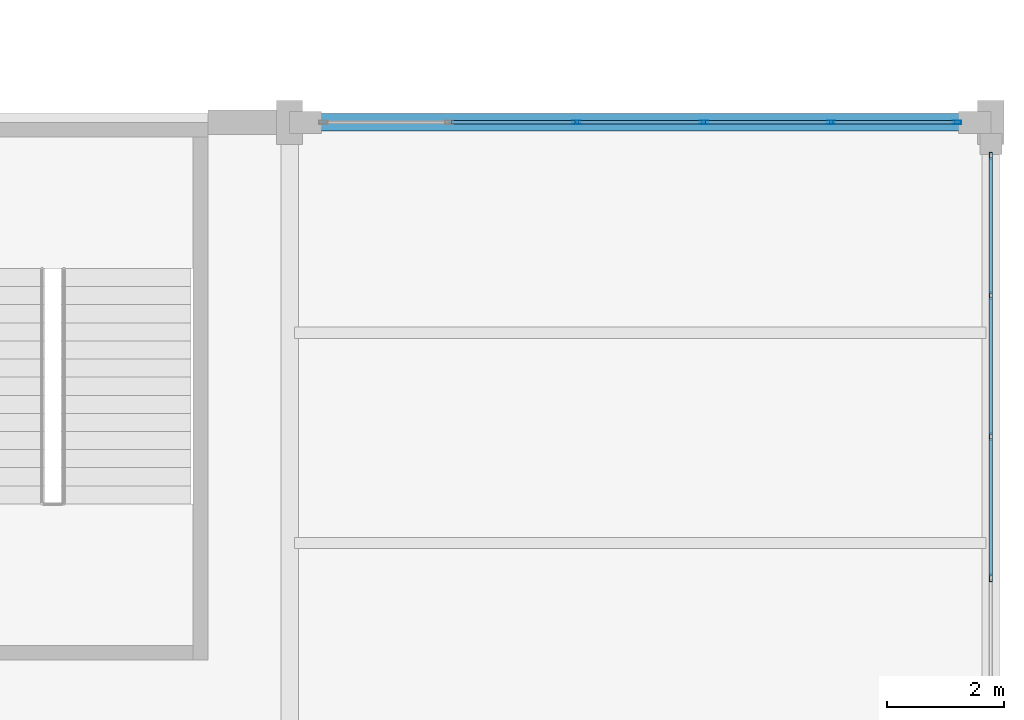
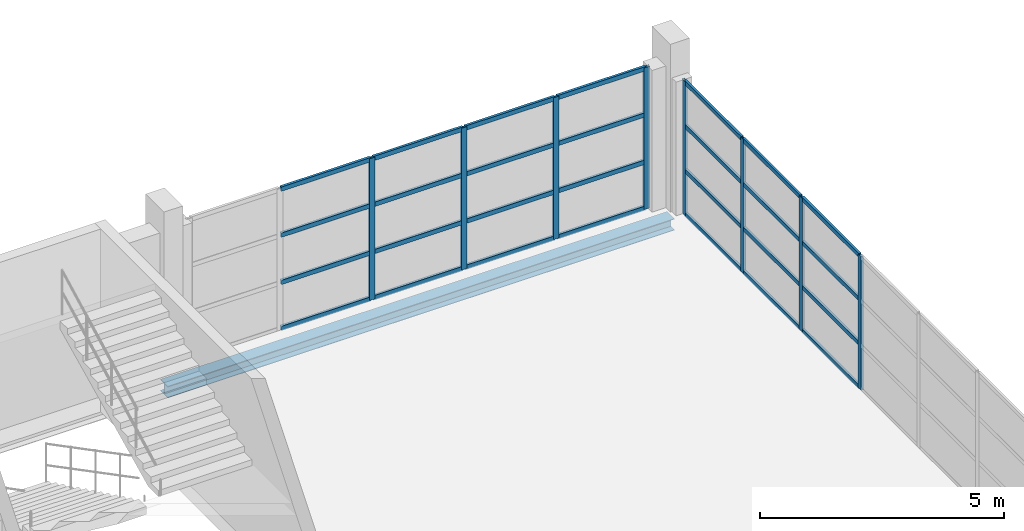
# One storey, part 118 of 147: 36 members, 1 beam, 2 elements without a shape of their own.
"""IFC4 building model written with IfcOpenShell, lengths in metres."""

import ifcopenshell
import ifcopenshell.guid

model = None  # the IFC model being written
_history = None  # IfcOwnerHistory: only IFC2X3 demands one
_inside = {}  # id of a spatial element -> (the spatial element, [elements in it])
_under = {}  # id of a project, library or spatial element -> (it, [spatial elements below it])
_declared = {}  # id of a project -> (the project, [libraries it declares])
_typed = {}  # id of a type object -> (the type object, [elements of that type])
_made_of = {}  # id of a material, layer set ... -> (it, [elements and type objects made of it])


def new_model(schema):
    """Start an empty IFC model of exactly this schema.

    Asked for "IFC4X3", IfcOpenShell would pick the latest addendum, in which some entities
    have other attributes; the version numbers below select the first issue.
    IFC2X3 requires an IfcOwnerHistory on every rooted entity: one is made here for all.
    """
    global model, _history
    if schema == "IFC4X3":
        model = ifcopenshell.file(schema_version=(4, 3, 0, 0))
    else:
        model = ifcopenshell.file(schema=schema)
    _inside.clear()
    _under.clear()
    _declared.clear()
    _typed.clear()
    _made_of.clear()
    _history = None
    if model.schema == "IFC2X3":
        org = make("IfcOrganization", Name="unknown")
        user = make(
            "IfcPersonAndOrganization",
            ThePerson=make("IfcPerson", FamilyName="unknown"),
            TheOrganization=org,
        )
        app = make(
            "IfcApplication",
            ApplicationDeveloper=org,
            Version="unknown",
            ApplicationFullName="unknown",
            ApplicationIdentifier="unknown",
        )
        _history = make(
            "IfcOwnerHistory",
            OwningUser=user,
            OwningApplication=app,
            ChangeAction="ADDED",
            CreationDate=0,
        )
    return model


def make(cls, **values):
    """One entity of the class cls with the attributes given. An attribute that is None is left unset."""
    return model.create_entity(
        cls, **{name: value for name, value in values.items() if value is not None}
    )


def rooted(cls, **values):
    """An entity with a GlobalId (a new one), such as an element, a storey or a relation."""
    return make(cls, GlobalId=ifcopenshell.guid.new(), OwnerHistory=_history, **values)


def si_unit(unit_type, name, prefix=None):
    """IfcSIUnit, for example si_unit("LENGTHUNIT", "METRE", prefix="MILLI")."""
    return make("IfcSIUnit", UnitType=unit_type, Prefix=prefix, Name=name)


def assignment(units):
    """IfcUnitAssignment: the units of a project."""
    return None if units is None else make("IfcUnitAssignment", Units=units)


def point(xyz):
    """IfcCartesianPoint."""
    return None if xyz is None else make("IfcCartesianPoint", Coordinates=xyz)


def direction(xyz):
    """IfcDirection."""
    return None if xyz is None else make("IfcDirection", DirectionRatios=xyz)


def frame(location, z_axis=None, x_axis=None):
    """IfcAxis2Placement3D, a coordinate frame: its origin and axes. An axis left out is left unset."""
    return make(
        "IfcAxis2Placement3D",
        Location=point(location),
        Axis=direction(z_axis),
        RefDirection=direction(x_axis),
    )


def frame_2d(location, x_axis=None):
    """IfcAxis2Placement2D, a coordinate frame in the plane: its origin and x axis."""
    return make(
        "IfcAxis2Placement2D", Location=point(location), RefDirection=direction(x_axis)
    )


def origin():
    """The frame at (0, 0, 0) with its axes left unset."""
    return frame((0.0, 0.0, 0.0))


def origin_2d():
    """The frame at (0, 0) in the plane with its x axis left unset."""
    return frame_2d((0.0, 0.0))


def place(relative_to, where):
    """IfcLocalPlacement: puts the frame where relative to a parent placement (None: the world)."""
    return make(
        "IfcLocalPlacement", PlacementRelTo=relative_to, RelativePlacement=where
    )


def context(
    kind, dimensions, precision=None, world=None, true_north=None, identifier=None
):
    """IfcGeometricRepresentationContext, for example the 3D "Model" context."""
    return make(
        "IfcGeometricRepresentationContext",
        ContextIdentifier=identifier,
        ContextType=kind,
        CoordinateSpaceDimension=dimensions,
        Precision=precision,
        WorldCoordinateSystem=world,
        TrueNorth=true_north,
    )


def subcontext(parent, identifier, kind, view, scale=None):
    """IfcGeometricRepresentationSubContext, for example "Body" below "Model"."""
    return make(
        "IfcGeometricRepresentationSubContext",
        ContextIdentifier=identifier,
        ContextType=kind,
        ParentContext=parent,
        TargetScale=scale,
        TargetView=view,
    )


def project(units=None, contexts=None):
    """IfcProject with its units and contexts."""
    return rooted(
        "IfcProject",
        Name="project",
        RepresentationContexts=contexts,
        UnitsInContext=assignment(units),
    )


def spatial(cls, under=None, at=None, **own):
    """A site, building, storey or space (cls), placed at a placement, below another one or the project."""
    s = rooted(cls, ObjectPlacement=at, **own)
    if under is not None:
        _under.setdefault(under.id(), (under, []))[1].append(s)
    return s


def profile(cls, at=None, kind="AREA", **sizes):
    """A parametric profile (cls). Its sizes go by their IFC names, for example OverallWidth=200.0."""
    return make(cls, ProfileType=kind, Position=at, **sizes)


def hollow_rectangle(**sizes):
    """IfcRectangleHollowProfileDef."""
    return profile("IfcRectangleHollowProfileDef", **sizes)


def i_section(**sizes):
    """IfcIShapeProfileDef."""
    return profile("IfcIShapeProfileDef", **sizes)


def extrude(swept, where, along, depth):
    """IfcExtrudedAreaSolid: the profile swept, set in the frame where, extruded along a direction by depth."""
    return make(
        "IfcExtrudedAreaSolid",
        SweptArea=swept,
        Position=where,
        ExtrudedDirection=direction(along),
        Depth=depth,
    )


def shape(context_of_items, identifier, shape_type, items):
    """IfcShapeRepresentation: the items that make up one representation, for example the "Body"."""
    return make(
        "IfcShapeRepresentation",
        ContextOfItems=context_of_items,
        RepresentationIdentifier=identifier,
        RepresentationType=shape_type,
        Items=items,
    )


def material(Name=None, Category=None):
    """IfcMaterial."""
    return make("IfcMaterial", Name=Name, Category=Category)


def layer(
    of_material, thickness, ventilated=None, Name=None, Category=None, Priority=None
):
    """IfcMaterialLayer: one layer of a wall or slab, of a material (None: an air gap)."""
    return make(
        "IfcMaterialLayer",
        Material=of_material,
        LayerThickness=thickness,
        IsVentilated=ventilated,
        Name=Name,
        Category=Category,
        Priority=Priority,
    )


def layer_set(layers, Name=None):
    """IfcMaterialLayerSet."""
    return make("IfcMaterialLayerSet", MaterialLayers=layers, LayerSetName=Name)


def material_profile(
    of_material, cross_section, Name=None, Category=None, Priority=None
):
    """IfcMaterialProfile: a cross section and its material."""
    return make(
        "IfcMaterialProfile",
        Name=Name,
        Material=of_material,
        Profile=cross_section,
        Priority=Priority,
        Category=Category,
    )


def profile_set(profiles, Name=None, composite=None):
    """IfcMaterialProfileSet."""
    return make(
        "IfcMaterialProfileSet",
        Name=Name,
        MaterialProfiles=profiles,
        CompositeProfile=composite,
    )


def made_of(thing, what):
    """Note that an element or type object is made of a material, layer set ...; save() writes the relation."""
    if what is not None:
        _made_of.setdefault(what.id(), (what, []))[1].append(thing)
    return thing


def type_object(cls, material=None, **own):
    """A type object (cls), such as IfcWallType, which elements share."""
    return made_of(rooted(cls, **own), material)


def element(
    cls,
    number,
    at=None,
    inside=None,
    cuts=None,
    type_object=None,
    material=None,
    context=None,
    identifier="Body",
    shape_type=None,
    held_by="IfcProductDefinitionShape",
    body=None,
    shapes=None,
    **own,
):
    """One element of the class cls, such as IfcWall. Its Tag is "e" and its number.

    at: its placement. inside: the storey or other place that contains it. cuts: it is an
    opening in that element (IfcRelVoidsElement). A single representation is given by context,
    identifier, shape_type and body (its items); several are given by shapes. held_by: the class
    of the entity that holds the representations. save() writes the other relations.
    """
    e = rooted(cls, Tag="e%d" % number, ObjectPlacement=at, **own)
    if body is not None:
        shapes = [shape(context, identifier, shape_type, body)]
    if shapes is not None:
        e.Representation = make(held_by, Representations=shapes)
    if inside is not None:
        _inside.setdefault(inside.id(), (inside, []))[1].append(e)
    if cuts is not None:
        rooted(
            "IfcRelVoidsElement", RelatingBuildingElement=cuts, RelatedOpeningElement=e
        )
    if type_object is not None:
        _typed.setdefault(type_object.id(), (type_object, []))[1].append(e)
    return made_of(e, material)


def aggregate(whole, parts):
    """IfcRelAggregates: a whole, such as a stair, and the parts it consists of."""
    return rooted("IfcRelAggregates", RelatingObject=whole, RelatedObjects=parts)


def save(model, path):
    """Write the relations noted so far, then the file.

    IfcRelAggregates (storeys below a building ...), IfcRelContainedInSpatialStructure (elements
    in a storey), IfcRelDefinesByType, IfcRelAssociatesMaterial and IfcRelDeclares: one each for
    every whole, place, type object, material and project.
    """
    for whole, parts in _under.values():
        aggregate(whole, parts)
    for where, things in _inside.values():
        rooted(
            "IfcRelContainedInSpatialStructure",
            RelatedElements=things,
            RelatingStructure=where,
        )
    for kind, things in _typed.values():
        rooted("IfcRelDefinesByType", RelatedObjects=things, RelatingType=kind)
    for what, things in _made_of.values():
        rooted("IfcRelAssociatesMaterial", RelatedObjects=things, RelatingMaterial=what)
    for by, libraries in _declared.values():
        rooted("IfcRelDeclares", RelatingContext=by, RelatedDefinitions=libraries)
    model.write(path)


model = new_model("IFC4")

# Units and contexts
model_context = context("Model", 3, precision=1e-05, world=origin(), true_north=direction((0.0, 1.0)))
body_context = subcontext(model_context, "Body", "Model", "MODEL_VIEW")
ifc_project = project(units=[si_unit("LENGTHUNIT", "METRE"), si_unit("AREAUNIT", "SQUARE_METRE"), si_unit("VOLUMEUNIT", "CUBIC_METRE"), si_unit("PLANEANGLEUNIT", "RADIAN"), si_unit("MASSUNIT", "GRAM", prefix="KILO")], contexts=[model_context])

# Site, building, storey
site_placement = place(None, origin())
site = spatial("IfcSite", under=ifc_project, at=site_placement, CompositionType="ELEMENT")
building_placement = place(site_placement, origin())
building = spatial("IfcBuilding", under=site, at=building_placement, Name="Zilviju Railside Exhibition Hall", CompositionType="ELEMENT")
storey_placement = place(building_placement, frame((0.0, 0.0, 8.39990234375)))
storey = spatial("IfcBuildingStorey", under=building, at=storey_placement, Name="L03", CompositionType="ELEMENT", Elevation=8.39990234375)

# Beam
ifc_material_1 = material(Name="Steel S355J2", Category="steel")
ifc_material_profile_1 = material_profile(ifc_material_1, i_section(OverallWidth=0.300048828125, OverallDepth=0.2900390625, WebThickness=0.008544921875, FlangeThickness=0.013916015625, at=origin_2d()), Name="HEA 300")
ifc_profile_set_1 = profile_set([ifc_material_profile_1], Name="Steel S355J2")
beam_type = type_object("IfcBeamType", Name="BM-HEA300", PredefinedType="SPANDREL", material=ifc_profile_set_1)
beam_placement = place(storey_placement, frame((204.0, 138.0, -0.52490234375), z_axis=(1.0, 0.0, 0.0), x_axis=(0.0, 1.0, 0.0)))
element("IfcBeam", 1, at=beam_placement, inside=storey, type_object=beam_type, Name="Primary Girder L03 Y=138.0 (204.0..216.0)", PredefinedType="SPANDREL", context=body_context, shape_type="SweptSolid", body=[
    extrude(i_section(OverallWidth=0.300048828125, OverallDepth=0.2900390625, WebThickness=0.008544921875, FlangeThickness=0.013916015625, at=origin_2d()), origin(), (0.0, 0.0, 1.0), 12.0),
])

# Curtain wall, members
ifc_material_2 = material(Name="Thermally broken aluminium-steel triple-glazed curtain wall", Category="steel")
ifc_layer_1 = layer(ifc_material_2, 0.179931640625)
ifc_layer_set_1 = layer_set([ifc_layer_1], Name="Thermally broken aluminium-steel triple-glazed curtain wall")
curtain_wall_type_1 = type_object("IfcCurtainWallType", Name="CW-BAY-10", PredefinedType="USERDEFINED", material=ifc_layer_set_1)
curtain_wall_1_placement = place(storey_placement, origin())
curtain_wall_1 = element("IfcCurtainWall", 2, at=curtain_wall_1_placement, inside=storey, type_object=curtain_wall_type_1, Name="North Hall East Glazed Gable L03 (120..138)", ObjectType="GLAZED CURTAIN WALL", PredefinedType="USERDEFINED")
ifc_material_3 = material(Name="Thermally broken anodized aluminium mullion", Category="aluminium")
ifc_material_profile_2 = material_profile(ifc_material_3, hollow_rectangle(XDim=0.054931640625, YDim=0.1298828125, WallThickness=0.0048828125, at=origin_2d()), Name="MULLION 130x55x5")
ifc_profile_set_2 = profile_set([ifc_material_profile_2], Name="Thermally broken anodized aluminium mullion")
member_type_1 = type_object("IfcMemberType", Name="CWM-55x130", PredefinedType="MULLION", material=ifc_profile_set_2)
member_1_placement = place(storey_placement, frame((216.0, 137.422607421875, 0.0), z_axis=(0.0, 0.0, 1.0), x_axis=(1.0, 0.0, 0.0)))
member_1 = element("IfcMember", 3, at=member_1_placement, type_object=member_type_1, Name="CW-10 mullion 1", PredefinedType="MULLION", context=body_context, shape_type="SweptSolid", body=[
    extrude(hollow_rectangle(XDim=0.054931640625, YDim=0.1298828125, WallThickness=0.0048828125, at=origin_2d()), origin(), (0.0, 0.0, 1.0), 3.35009765625),
])
member_2_placement = place(storey_placement, frame((216.0, 135.03564453125, 0.0), z_axis=(0.0, 0.0, 1.0), x_axis=(1.0, 0.0, 0.0)))
member_2 = element("IfcMember", 4, at=member_2_placement, type_object=member_type_1, Name="CW-10 mullion 2", PredefinedType="MULLION", context=body_context, shape_type="SweptSolid", body=[
    extrude(hollow_rectangle(XDim=0.054931640625, YDim=0.1298828125, WallThickness=0.0048828125, at=origin_2d()), origin(), (0.0, 0.0, 1.0), 3.35009765625),
])
member_3_placement = place(storey_placement, frame((216.0, 132.621337890625, 0.0), z_axis=(0.0, 0.0, 1.0), x_axis=(1.0, 0.0, 0.0)))
member_3 = element("IfcMember", 5, at=member_3_placement, type_object=member_type_1, Name="CW-10 mullion 3", PredefinedType="MULLION", context=body_context, shape_type="SweptSolid", body=[
    extrude(hollow_rectangle(XDim=0.054931640625, YDim=0.1298828125, WallThickness=0.0048828125, at=origin_2d()), origin(), (0.0, 0.0, 1.0), 3.35009765625),
])
member_4_placement = place(storey_placement, frame((216.0, 130.20703125, 0.0), z_axis=(0.0, 0.0, 1.0), x_axis=(1.0, 0.0, 0.0)))
member_4 = element("IfcMember", 6, at=member_4_placement, type_object=member_type_1, Name="CW-10 mullion 4", PredefinedType="MULLION", context=body_context, shape_type="SweptSolid", body=[
    extrude(hollow_rectangle(XDim=0.054931640625, YDim=0.1298828125, WallThickness=0.0048828125, at=origin_2d()), origin(), (0.0, 0.0, 1.0), 3.35009765625),
])

ifc_layer_2 = layer(ifc_material_2, 0.179931640625)
ifc_layer_set_2 = layer_set([ifc_layer_2], Name="Thermally broken aluminium-steel triple-glazed curtain wall")
curtain_wall_type_2 = type_object("IfcCurtainWallType", Name="CW-BAY-07", PredefinedType="USERDEFINED", material=ifc_layer_set_2)
curtain_wall_2_placement = place(storey_placement, origin())
curtain_wall_2 = element("IfcCurtainWall", 7, at=curtain_wall_2_placement, inside=storey, type_object=curtain_wall_type_2, Name="North Hall Clerestory Curtain Wall L03 (204..216)", ObjectType="GLAZED CURTAIN WALL", PredefinedType="USERDEFINED")
ifc_material_profile_3 = material_profile(ifc_material_3, hollow_rectangle(XDim=0.06005859375, YDim=0.139892578125, WallThickness=0.0048828125, at=origin_2d()), Name="MULLION 140x60x5")
ifc_profile_set_3 = profile_set([ifc_material_profile_3], Name="Thermally broken anodized aluminium mullion")
member_type_2 = type_object("IfcMemberType", Name="CWM-60x140", PredefinedType="MULLION", material=ifc_profile_set_3)
member_5_placement = place(storey_placement, frame((208.909912109375, 138.0, 0.0), z_axis=(0.0, 0.0, 1.0), x_axis=(0.0, 1.0, 0.0)))
member_5 = element("IfcMember", 8, at=member_5_placement, type_object=member_type_2, Name="CW-07 mullion 3", PredefinedType="MULLION", context=body_context, shape_type="SweptSolid", body=[
    extrude(hollow_rectangle(XDim=0.06005859375, YDim=0.139892578125, WallThickness=0.0048828125, at=origin_2d()), origin(), (0.0, 0.0, 1.0), 3.550048828125),
])
member_6_placement = place(storey_placement, frame((211.090087890625, 138.0, 0.0), z_axis=(0.0, 0.0, 1.0), x_axis=(0.0, 1.0, 0.0)))
member_6 = element("IfcMember", 9, at=member_6_placement, type_object=member_type_2, Name="CW-07 mullion 4", PredefinedType="MULLION", context=body_context, shape_type="SweptSolid", body=[
    extrude(hollow_rectangle(XDim=0.06005859375, YDim=0.139892578125, WallThickness=0.0048828125, at=origin_2d()), origin(), (0.0, 0.0, 1.0), 3.550048828125),
])
member_7_placement = place(storey_placement, frame((213.27001953125, 138.0, 0.0), z_axis=(0.0, 0.0, 1.0), x_axis=(0.0, 1.0, 0.0)))
member_7 = element("IfcMember", 10, at=member_7_placement, type_object=member_type_2, Name="CW-07 mullion 5", PredefinedType="MULLION", context=body_context, shape_type="SweptSolid", body=[
    extrude(hollow_rectangle(XDim=0.06005859375, YDim=0.139892578125, WallThickness=0.0048828125, at=origin_2d()), origin(), (0.0, 0.0, 1.0), 3.550048828125),
])
member_8_placement = place(storey_placement, frame((215.419921875, 138.0, 0.0), z_axis=(0.0, 0.0, 1.0), x_axis=(0.0, 1.0, 0.0)))
member_8 = element("IfcMember", 11, at=member_8_placement, type_object=member_type_2, Name="CW-07 mullion 6", PredefinedType="MULLION", context=body_context, shape_type="SweptSolid", body=[
    extrude(hollow_rectangle(XDim=0.06005859375, YDim=0.139892578125, WallThickness=0.0048828125, at=origin_2d()), origin(), (0.0, 0.0, 1.0), 3.550048828125),
])

# Member
ifc_material_4 = material(Name="Thermally broken anodized aluminium transom", Category="aluminium")
ifc_material_profile_4 = material_profile(ifc_material_4, hollow_rectangle(XDim=0.054931640625, YDim=0.10498046875, WallThickness=0.0048828125, at=origin_2d()), Name="TRANSOM 105x55x5")
ifc_profile_set_4 = profile_set([ifc_material_profile_4], Name="Thermally broken anodized aluminium transom")
member_type_3 = type_object("IfcMemberType", Name="CWT-55x105", PredefinedType="USERDEFINED", material=ifc_profile_set_4)
member_9_placement = place(storey_placement, frame((216.0, 137.39501953125, 0.027587890625), z_axis=(0.0, -1.0, 0.0), x_axis=(1.0, 0.0, 0.0)))
member_9 = element("IfcMember", 12, at=member_9_placement, type_object=member_type_3, Name="CW-10 transom 1.1", ObjectType="TRANSOM", PredefinedType="USERDEFINED", context=body_context, shape_type="SweptSolid", body=[
    extrude(hollow_rectangle(XDim=0.054931640625, YDim=0.10498046875, WallThickness=0.0048828125, at=origin_2d()), origin(), (0.0, 0.0, 1.0), 2.331787109375),
])

member_10_placement = place(storey_placement, frame((216.0, 137.39501953125, 1.1171875), z_axis=(0.0, -1.0, 0.0), x_axis=(1.0, 0.0, 0.0)))
member_10 = element("IfcMember", 13, at=member_10_placement, type_object=member_type_3, Name="CW-10 transom 1.2", ObjectType="TRANSOM", PredefinedType="USERDEFINED", context=body_context, shape_type="SweptSolid", body=[
    extrude(hollow_rectangle(XDim=0.054931640625, YDim=0.10498046875, WallThickness=0.0048828125, at=origin_2d()), origin(), (0.0, 0.0, 1.0), 2.331787109375),
])

member_11_placement = place(storey_placement, frame((216.0, 137.39501953125, 2.233154296875), z_axis=(0.0, -1.0, 0.0), x_axis=(1.0, 0.0, 0.0)))
member_11 = element("IfcMember", 14, at=member_11_placement, type_object=member_type_3, Name="CW-10 transom 1.3", ObjectType="TRANSOM", PredefinedType="USERDEFINED", context=body_context, shape_type="SweptSolid", body=[
    extrude(hollow_rectangle(XDim=0.054931640625, YDim=0.10498046875, WallThickness=0.0048828125, at=origin_2d()), origin(), (0.0, 0.0, 1.0), 2.331787109375),
])

member_12_placement = place(storey_placement, frame((216.0, 137.39501953125, 3.322509765625), z_axis=(0.0, -1.0, 0.0), x_axis=(1.0, 0.0, 0.0)))
member_12 = element("IfcMember", 15, at=member_12_placement, type_object=member_type_3, Name="CW-10 transom 1.4", ObjectType="TRANSOM", PredefinedType="USERDEFINED", context=body_context, shape_type="SweptSolid", body=[
    extrude(hollow_rectangle(XDim=0.054931640625, YDim=0.10498046875, WallThickness=0.0048828125, at=origin_2d()), origin(), (0.0, 0.0, 1.0), 2.331787109375),
])

member_13_placement = place(storey_placement, frame((216.0, 135.00830078125, 0.027587890625), z_axis=(0.0, -1.0, 0.0), x_axis=(1.0, 0.0, 0.0)))
member_13 = element("IfcMember", 16, at=member_13_placement, type_object=member_type_3, Name="CW-10 transom 2.1", ObjectType="TRANSOM", PredefinedType="USERDEFINED", context=body_context, shape_type="SweptSolid", body=[
    extrude(hollow_rectangle(XDim=0.054931640625, YDim=0.10498046875, WallThickness=0.0048828125, at=origin_2d()), origin(), (0.0, 0.0, 1.0), 2.359375),
])

member_14_placement = place(storey_placement, frame((216.0, 135.00830078125, 1.1171875), z_axis=(0.0, -1.0, 0.0), x_axis=(1.0, 0.0, 0.0)))
member_14 = element("IfcMember", 17, at=member_14_placement, type_object=member_type_3, Name="CW-10 transom 2.2", ObjectType="TRANSOM", PredefinedType="USERDEFINED", context=body_context, shape_type="SweptSolid", body=[
    extrude(hollow_rectangle(XDim=0.054931640625, YDim=0.10498046875, WallThickness=0.0048828125, at=origin_2d()), origin(), (0.0, 0.0, 1.0), 2.359375),
])

member_15_placement = place(storey_placement, frame((216.0, 135.00830078125, 2.233154296875), z_axis=(0.0, -1.0, 0.0), x_axis=(1.0, 0.0, 0.0)))
member_15 = element("IfcMember", 18, at=member_15_placement, type_object=member_type_3, Name="CW-10 transom 2.3", ObjectType="TRANSOM", PredefinedType="USERDEFINED", context=body_context, shape_type="SweptSolid", body=[
    extrude(hollow_rectangle(XDim=0.054931640625, YDim=0.10498046875, WallThickness=0.0048828125, at=origin_2d()), origin(), (0.0, 0.0, 1.0), 2.359375),
])

member_16_placement = place(storey_placement, frame((216.0, 135.00830078125, 3.322509765625), z_axis=(0.0, -1.0, 0.0), x_axis=(1.0, 0.0, 0.0)))
member_16 = element("IfcMember", 19, at=member_16_placement, type_object=member_type_3, Name="CW-10 transom 2.4", ObjectType="TRANSOM", PredefinedType="USERDEFINED", context=body_context, shape_type="SweptSolid", body=[
    extrude(hollow_rectangle(XDim=0.054931640625, YDim=0.10498046875, WallThickness=0.0048828125, at=origin_2d()), origin(), (0.0, 0.0, 1.0), 2.359375),
])

member_17_placement = place(storey_placement, frame((216.0, 132.593994140625, 0.027587890625), z_axis=(0.0, -1.0, 0.0), x_axis=(1.0, 0.0, 0.0)))
member_17 = element("IfcMember", 20, at=member_17_placement, type_object=member_type_3, Name="CW-10 transom 3.1", ObjectType="TRANSOM", PredefinedType="USERDEFINED", context=body_context, shape_type="SweptSolid", body=[
    extrude(hollow_rectangle(XDim=0.054931640625, YDim=0.10498046875, WallThickness=0.0048828125, at=origin_2d()), origin(), (0.0, 0.0, 1.0), 2.359375),
])

member_18_placement = place(storey_placement, frame((216.0, 132.593994140625, 1.1171875), z_axis=(0.0, -1.0, 0.0), x_axis=(1.0, 0.0, 0.0)))
member_18 = element("IfcMember", 21, at=member_18_placement, type_object=member_type_3, Name="CW-10 transom 3.2", ObjectType="TRANSOM", PredefinedType="USERDEFINED", context=body_context, shape_type="SweptSolid", body=[
    extrude(hollow_rectangle(XDim=0.054931640625, YDim=0.10498046875, WallThickness=0.0048828125, at=origin_2d()), origin(), (0.0, 0.0, 1.0), 2.359375),
])

member_19_placement = place(storey_placement, frame((216.0, 132.593994140625, 2.233154296875), z_axis=(0.0, -1.0, 0.0), x_axis=(1.0, 0.0, 0.0)))
member_19 = element("IfcMember", 22, at=member_19_placement, type_object=member_type_3, Name="CW-10 transom 3.3", ObjectType="TRANSOM", PredefinedType="USERDEFINED", context=body_context, shape_type="SweptSolid", body=[
    extrude(hollow_rectangle(XDim=0.054931640625, YDim=0.10498046875, WallThickness=0.0048828125, at=origin_2d()), origin(), (0.0, 0.0, 1.0), 2.359375),
])

member_20_placement = place(storey_placement, frame((216.0, 132.593994140625, 3.322509765625), z_axis=(0.0, -1.0, 0.0), x_axis=(1.0, 0.0, 0.0)))
member_20 = element("IfcMember", 23, at=member_20_placement, type_object=member_type_3, Name="CW-10 transom 3.4", ObjectType="TRANSOM", PredefinedType="USERDEFINED", context=body_context, shape_type="SweptSolid", body=[
    extrude(hollow_rectangle(XDim=0.054931640625, YDim=0.10498046875, WallThickness=0.0048828125, at=origin_2d()), origin(), (0.0, 0.0, 1.0), 2.359375),
])

aggregate(curtain_wall_1, [member_1, member_2, member_3, member_4, member_9, member_10, member_11, member_12, member_13, member_14, member_15, member_16, member_17, member_18, member_19, member_20])

ifc_material_profile_5 = material_profile(ifc_material_4, hollow_rectangle(XDim=0.06005859375, YDim=0.110107421875, WallThickness=0.0048828125, at=origin_2d()), Name="TRANSOM 110x60x5")
ifc_profile_set_5 = profile_set([ifc_material_profile_5], Name="Thermally broken anodized aluminium transom")
member_type_4 = type_object("IfcMemberType", Name="CWT-60x110", PredefinedType="USERDEFINED", material=ifc_profile_set_5)
member_21_placement = place(storey_placement, frame((206.760009765625, 138.0, 0.030029296875), z_axis=(1.0, 0.0, 0.0), x_axis=(0.0, 1.0, 0.0)))
member_21 = element("IfcMember", 24, at=member_21_placement, type_object=member_type_4, Name="CW-07 transom 2.1", ObjectType="TRANSOM", PredefinedType="USERDEFINED", context=body_context, shape_type="SweptSolid", body=[
    extrude(hollow_rectangle(XDim=0.06005859375, YDim=0.110107421875, WallThickness=0.0048828125, at=origin_2d()), origin(), (0.0, 0.0, 1.0), 2.119873046875),
])

member_22_placement = place(storey_placement, frame((206.760009765625, 138.0, 1.18310546875), z_axis=(1.0, 0.0, 0.0), x_axis=(0.0, 1.0, 0.0)))
member_22 = element("IfcMember", 25, at=member_22_placement, type_object=member_type_4, Name="CW-07 transom 2.2", ObjectType="TRANSOM", PredefinedType="USERDEFINED", context=body_context, shape_type="SweptSolid", body=[
    extrude(hollow_rectangle(XDim=0.06005859375, YDim=0.110107421875, WallThickness=0.0048828125, at=origin_2d()), origin(), (0.0, 0.0, 1.0), 2.119873046875),
])

member_23_placement = place(storey_placement, frame((206.760009765625, 138.0, 2.3671875), z_axis=(1.0, 0.0, 0.0), x_axis=(0.0, 1.0, 0.0)))
member_23 = element("IfcMember", 26, at=member_23_placement, type_object=member_type_4, Name="CW-07 transom 2.3", ObjectType="TRANSOM", PredefinedType="USERDEFINED", context=body_context, shape_type="SweptSolid", body=[
    extrude(hollow_rectangle(XDim=0.06005859375, YDim=0.110107421875, WallThickness=0.0048828125, at=origin_2d()), origin(), (0.0, 0.0, 1.0), 2.119873046875),
])

member_24_placement = place(storey_placement, frame((206.760009765625, 138.0, 3.52001953125), z_axis=(1.0, 0.0, 0.0), x_axis=(0.0, 1.0, 0.0)))
member_24 = element("IfcMember", 27, at=member_24_placement, type_object=member_type_4, Name="CW-07 transom 2.4", ObjectType="TRANSOM", PredefinedType="USERDEFINED", context=body_context, shape_type="SweptSolid", body=[
    extrude(hollow_rectangle(XDim=0.06005859375, YDim=0.110107421875, WallThickness=0.0048828125, at=origin_2d()), origin(), (0.0, 0.0, 1.0), 2.119873046875),
])

member_25_placement = place(storey_placement, frame((208.93994140625, 138.0, 0.030029296875), z_axis=(1.0, 0.0, 0.0), x_axis=(0.0, 1.0, 0.0)))
member_25 = element("IfcMember", 28, at=member_25_placement, type_object=member_type_4, Name="CW-07 transom 3.1", ObjectType="TRANSOM", PredefinedType="USERDEFINED", context=body_context, shape_type="SweptSolid", body=[
    extrude(hollow_rectangle(XDim=0.06005859375, YDim=0.110107421875, WallThickness=0.0048828125, at=origin_2d()), origin(), (0.0, 0.0, 1.0), 2.1201171875),
])

member_26_placement = place(storey_placement, frame((208.93994140625, 138.0, 1.18310546875), z_axis=(1.0, 0.0, 0.0), x_axis=(0.0, 1.0, 0.0)))
member_26 = element("IfcMember", 29, at=member_26_placement, type_object=member_type_4, Name="CW-07 transom 3.2", ObjectType="TRANSOM", PredefinedType="USERDEFINED", context=body_context, shape_type="SweptSolid", body=[
    extrude(hollow_rectangle(XDim=0.06005859375, YDim=0.110107421875, WallThickness=0.0048828125, at=origin_2d()), origin(), (0.0, 0.0, 1.0), 2.1201171875),
])

member_27_placement = place(storey_placement, frame((208.93994140625, 138.0, 2.3671875), z_axis=(1.0, 0.0, 0.0), x_axis=(0.0, 1.0, 0.0)))
member_27 = element("IfcMember", 30, at=member_27_placement, type_object=member_type_4, Name="CW-07 transom 3.3", ObjectType="TRANSOM", PredefinedType="USERDEFINED", context=body_context, shape_type="SweptSolid", body=[
    extrude(hollow_rectangle(XDim=0.06005859375, YDim=0.110107421875, WallThickness=0.0048828125, at=origin_2d()), origin(), (0.0, 0.0, 1.0), 2.1201171875),
])

member_28_placement = place(storey_placement, frame((208.93994140625, 138.0, 3.52001953125), z_axis=(1.0, 0.0, 0.0), x_axis=(0.0, 1.0, 0.0)))
member_28 = element("IfcMember", 31, at=member_28_placement, type_object=member_type_4, Name="CW-07 transom 3.4", ObjectType="TRANSOM", PredefinedType="USERDEFINED", context=body_context, shape_type="SweptSolid", body=[
    extrude(hollow_rectangle(XDim=0.06005859375, YDim=0.110107421875, WallThickness=0.0048828125, at=origin_2d()), origin(), (0.0, 0.0, 1.0), 2.1201171875),
])

member_29_placement = place(storey_placement, frame((211.1201171875, 138.0, 0.030029296875), z_axis=(1.0, 0.0, 0.0), x_axis=(0.0, 1.0, 0.0)))
member_29 = element("IfcMember", 32, at=member_29_placement, type_object=member_type_4, Name="CW-07 transom 4.1", ObjectType="TRANSOM", PredefinedType="USERDEFINED", context=body_context, shape_type="SweptSolid", body=[
    extrude(hollow_rectangle(XDim=0.06005859375, YDim=0.110107421875, WallThickness=0.0048828125, at=origin_2d()), origin(), (0.0, 0.0, 1.0), 2.119873046875),
])

member_30_placement = place(storey_placement, frame((211.1201171875, 138.0, 1.18310546875), z_axis=(1.0, 0.0, 0.0), x_axis=(0.0, 1.0, 0.0)))
member_30 = element("IfcMember", 33, at=member_30_placement, type_object=member_type_4, Name="CW-07 transom 4.2", ObjectType="TRANSOM", PredefinedType="USERDEFINED", context=body_context, shape_type="SweptSolid", body=[
    extrude(hollow_rectangle(XDim=0.06005859375, YDim=0.110107421875, WallThickness=0.0048828125, at=origin_2d()), origin(), (0.0, 0.0, 1.0), 2.119873046875),
])

member_31_placement = place(storey_placement, frame((211.1201171875, 138.0, 2.3671875), z_axis=(1.0, 0.0, 0.0), x_axis=(0.0, 1.0, 0.0)))
member_31 = element("IfcMember", 34, at=member_31_placement, type_object=member_type_4, Name="CW-07 transom 4.3", ObjectType="TRANSOM", PredefinedType="USERDEFINED", context=body_context, shape_type="SweptSolid", body=[
    extrude(hollow_rectangle(XDim=0.06005859375, YDim=0.110107421875, WallThickness=0.0048828125, at=origin_2d()), origin(), (0.0, 0.0, 1.0), 2.119873046875),
])

member_32_placement = place(storey_placement, frame((211.1201171875, 138.0, 3.52001953125), z_axis=(1.0, 0.0, 0.0), x_axis=(0.0, 1.0, 0.0)))
member_32 = element("IfcMember", 35, at=member_32_placement, type_object=member_type_4, Name="CW-07 transom 4.4", ObjectType="TRANSOM", PredefinedType="USERDEFINED", context=body_context, shape_type="SweptSolid", body=[
    extrude(hollow_rectangle(XDim=0.06005859375, YDim=0.110107421875, WallThickness=0.0048828125, at=origin_2d()), origin(), (0.0, 0.0, 1.0), 2.119873046875),
])

member_33_placement = place(storey_placement, frame((213.300048828125, 138.0, 0.030029296875), z_axis=(1.0, 0.0, 0.0), x_axis=(0.0, 1.0, 0.0)))
member_33 = element("IfcMember", 36, at=member_33_placement, type_object=member_type_4, Name="CW-07 transom 5.1", ObjectType="TRANSOM", PredefinedType="USERDEFINED", context=body_context, shape_type="SweptSolid", body=[
    extrude(hollow_rectangle(XDim=0.06005859375, YDim=0.110107421875, WallThickness=0.0048828125, at=origin_2d()), origin(), (0.0, 0.0, 1.0), 2.08984375),
])

member_34_placement = place(storey_placement, frame((213.300048828125, 138.0, 1.18310546875), z_axis=(1.0, 0.0, 0.0), x_axis=(0.0, 1.0, 0.0)))
member_34 = element("IfcMember", 37, at=member_34_placement, type_object=member_type_4, Name="CW-07 transom 5.2", ObjectType="TRANSOM", PredefinedType="USERDEFINED", context=body_context, shape_type="SweptSolid", body=[
    extrude(hollow_rectangle(XDim=0.06005859375, YDim=0.110107421875, WallThickness=0.0048828125, at=origin_2d()), origin(), (0.0, 0.0, 1.0), 2.08984375),
])

member_35_placement = place(storey_placement, frame((213.300048828125, 138.0, 2.3671875), z_axis=(1.0, 0.0, 0.0), x_axis=(0.0, 1.0, 0.0)))
member_35 = element("IfcMember", 38, at=member_35_placement, type_object=member_type_4, Name="CW-07 transom 5.3", ObjectType="TRANSOM", PredefinedType="USERDEFINED", context=body_context, shape_type="SweptSolid", body=[
    extrude(hollow_rectangle(XDim=0.06005859375, YDim=0.110107421875, WallThickness=0.0048828125, at=origin_2d()), origin(), (0.0, 0.0, 1.0), 2.08984375),
])

member_36_placement = place(storey_placement, frame((213.300048828125, 138.0, 3.52001953125), z_axis=(1.0, 0.0, 0.0), x_axis=(0.0, 1.0, 0.0)))
member_36 = element("IfcMember", 39, at=member_36_placement, type_object=member_type_4, Name="CW-07 transom 5.4", ObjectType="TRANSOM", PredefinedType="USERDEFINED", context=body_context, shape_type="SweptSolid", body=[
    extrude(hollow_rectangle(XDim=0.06005859375, YDim=0.110107421875, WallThickness=0.0048828125, at=origin_2d()), origin(), (0.0, 0.0, 1.0), 2.08984375),
])

aggregate(curtain_wall_2, [member_5, member_6, member_7, member_8, member_21, member_22, member_23, member_24, member_25, member_26, member_27, member_28, member_29, member_30, member_31, member_32, member_33, member_34, member_35, member_36])

save(model, "model.ifc")
